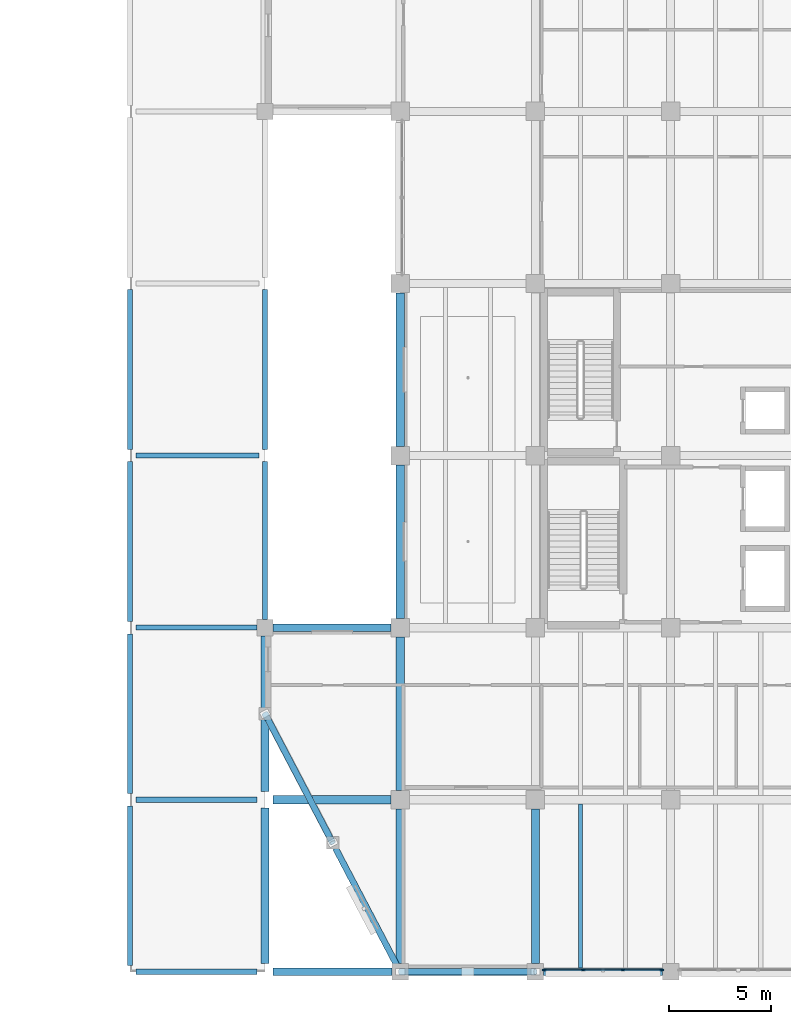
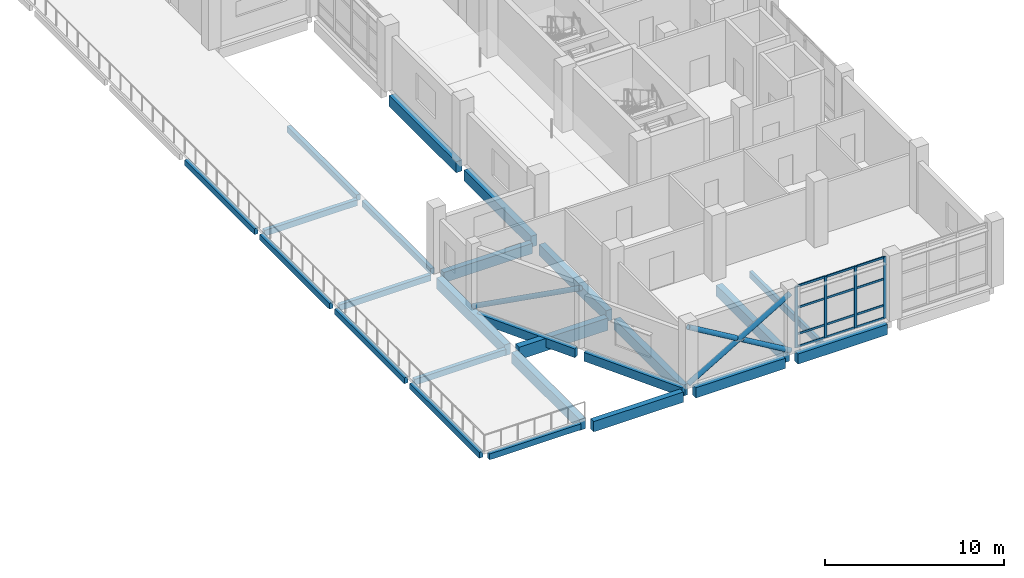
# One storey, part 20 of 83: 25 beams, 20 members, 1 element without a shape of its own.
"""IFC4 building model written with IfcOpenShell, lengths in metres."""

import ifcopenshell
import ifcopenshell.guid

model = None  # the IFC model being written
_history = None  # IfcOwnerHistory: only IFC2X3 demands one
_inside = {}  # id of a spatial element -> (the spatial element, [elements in it])
_under = {}  # id of a project, library or spatial element -> (it, [spatial elements below it])
_declared = {}  # id of a project -> (the project, [libraries it declares])
_typed = {}  # id of a type object -> (the type object, [elements of that type])
_made_of = {}  # id of a material, layer set ... -> (it, [elements and type objects made of it])


def new_model(schema):
    """Start an empty IFC model of exactly this schema.

    Asked for "IFC4X3", IfcOpenShell would pick the latest addendum, in which some entities
    have other attributes; the version numbers below select the first issue.
    IFC2X3 requires an IfcOwnerHistory on every rooted entity: one is made here for all.
    """
    global model, _history
    if schema == "IFC4X3":
        model = ifcopenshell.file(schema_version=(4, 3, 0, 0))
    else:
        model = ifcopenshell.file(schema=schema)
    _inside.clear()
    _under.clear()
    _declared.clear()
    _typed.clear()
    _made_of.clear()
    _history = None
    if model.schema == "IFC2X3":
        org = make("IfcOrganization", Name="unknown")
        user = make(
            "IfcPersonAndOrganization",
            ThePerson=make("IfcPerson", FamilyName="unknown"),
            TheOrganization=org,
        )
        app = make(
            "IfcApplication",
            ApplicationDeveloper=org,
            Version="unknown",
            ApplicationFullName="unknown",
            ApplicationIdentifier="unknown",
        )
        _history = make(
            "IfcOwnerHistory",
            OwningUser=user,
            OwningApplication=app,
            ChangeAction="ADDED",
            CreationDate=0,
        )
    return model


def make(cls, **values):
    """One entity of the class cls with the attributes given. An attribute that is None is left unset."""
    return model.create_entity(
        cls, **{name: value for name, value in values.items() if value is not None}
    )


def rooted(cls, **values):
    """An entity with a GlobalId (a new one), such as an element, a storey or a relation."""
    return make(cls, GlobalId=ifcopenshell.guid.new(), OwnerHistory=_history, **values)


def si_unit(unit_type, name, prefix=None):
    """IfcSIUnit, for example si_unit("LENGTHUNIT", "METRE", prefix="MILLI")."""
    return make("IfcSIUnit", UnitType=unit_type, Prefix=prefix, Name=name)


def assignment(units):
    """IfcUnitAssignment: the units of a project."""
    return None if units is None else make("IfcUnitAssignment", Units=units)


def point(xyz):
    """IfcCartesianPoint."""
    return None if xyz is None else make("IfcCartesianPoint", Coordinates=xyz)


def direction(xyz):
    """IfcDirection."""
    return None if xyz is None else make("IfcDirection", DirectionRatios=xyz)


def frame(location, z_axis=None, x_axis=None):
    """IfcAxis2Placement3D, a coordinate frame: its origin and axes. An axis left out is left unset."""
    return make(
        "IfcAxis2Placement3D",
        Location=point(location),
        Axis=direction(z_axis),
        RefDirection=direction(x_axis),
    )


def frame_2d(location, x_axis=None):
    """IfcAxis2Placement2D, a coordinate frame in the plane: its origin and x axis."""
    return make(
        "IfcAxis2Placement2D", Location=point(location), RefDirection=direction(x_axis)
    )


def origin():
    """The frame at (0, 0, 0) with its axes left unset."""
    return frame((0.0, 0.0, 0.0))


def origin_2d():
    """The frame at (0, 0) in the plane with its x axis left unset."""
    return frame_2d((0.0, 0.0))


def place(relative_to, where):
    """IfcLocalPlacement: puts the frame where relative to a parent placement (None: the world)."""
    return make(
        "IfcLocalPlacement", PlacementRelTo=relative_to, RelativePlacement=where
    )


def context(
    kind, dimensions, precision=None, world=None, true_north=None, identifier=None
):
    """IfcGeometricRepresentationContext, for example the 3D "Model" context."""
    return make(
        "IfcGeometricRepresentationContext",
        ContextIdentifier=identifier,
        ContextType=kind,
        CoordinateSpaceDimension=dimensions,
        Precision=precision,
        WorldCoordinateSystem=world,
        TrueNorth=true_north,
    )


def subcontext(parent, identifier, kind, view, scale=None):
    """IfcGeometricRepresentationSubContext, for example "Body" below "Model"."""
    return make(
        "IfcGeometricRepresentationSubContext",
        ContextIdentifier=identifier,
        ContextType=kind,
        ParentContext=parent,
        TargetScale=scale,
        TargetView=view,
    )


def project(units=None, contexts=None):
    """IfcProject with its units and contexts."""
    return rooted(
        "IfcProject",
        Name="project",
        RepresentationContexts=contexts,
        UnitsInContext=assignment(units),
    )


def spatial(cls, under=None, at=None, **own):
    """A site, building, storey or space (cls), placed at a placement, below another one or the project."""
    s = rooted(cls, ObjectPlacement=at, **own)
    if under is not None:
        _under.setdefault(under.id(), (under, []))[1].append(s)
    return s


def profile(cls, at=None, kind="AREA", **sizes):
    """A parametric profile (cls). Its sizes go by their IFC names, for example OverallWidth=200.0."""
    return make(cls, ProfileType=kind, Position=at, **sizes)


def rectangle(**sizes):
    """IfcRectangleProfileDef."""
    return profile("IfcRectangleProfileDef", **sizes)


def hollow_circle(**sizes):
    """IfcCircleHollowProfileDef."""
    return profile("IfcCircleHollowProfileDef", **sizes)


def extrude(swept, where, along, depth):
    """IfcExtrudedAreaSolid: the profile swept, set in the frame where, extruded along a direction by depth."""
    return make(
        "IfcExtrudedAreaSolid",
        SweptArea=swept,
        Position=where,
        ExtrudedDirection=direction(along),
        Depth=depth,
    )


def shape(context_of_items, identifier, shape_type, items):
    """IfcShapeRepresentation: the items that make up one representation, for example the "Body"."""
    return make(
        "IfcShapeRepresentation",
        ContextOfItems=context_of_items,
        RepresentationIdentifier=identifier,
        RepresentationType=shape_type,
        Items=items,
    )


def material(Name=None, Category=None):
    """IfcMaterial."""
    return make("IfcMaterial", Name=Name, Category=Category)


def material_profile(
    of_material, cross_section, Name=None, Category=None, Priority=None
):
    """IfcMaterialProfile: a cross section and its material."""
    return make(
        "IfcMaterialProfile",
        Name=Name,
        Material=of_material,
        Profile=cross_section,
        Priority=Priority,
        Category=Category,
    )


def profile_set(profiles, Name=None, composite=None):
    """IfcMaterialProfileSet."""
    return make(
        "IfcMaterialProfileSet",
        Name=Name,
        MaterialProfiles=profiles,
        CompositeProfile=composite,
    )


def made_of(thing, what):
    """Note that an element or type object is made of a material, layer set ...; save() writes the relation."""
    if what is not None:
        _made_of.setdefault(what.id(), (what, []))[1].append(thing)
    return thing


def type_object(cls, material=None, **own):
    """A type object (cls), such as IfcWallType, which elements share."""
    return made_of(rooted(cls, **own), material)


def element(
    cls,
    number,
    at=None,
    inside=None,
    cuts=None,
    type_object=None,
    material=None,
    context=None,
    identifier="Body",
    shape_type=None,
    held_by="IfcProductDefinitionShape",
    body=None,
    shapes=None,
    **own,
):
    """One element of the class cls, such as IfcWall. Its Tag is "e" and its number.

    at: its placement. inside: the storey or other place that contains it. cuts: it is an
    opening in that element (IfcRelVoidsElement). A single representation is given by context,
    identifier, shape_type and body (its items); several are given by shapes. held_by: the class
    of the entity that holds the representations. save() writes the other relations.
    """
    e = rooted(cls, Tag="e%d" % number, ObjectPlacement=at, **own)
    if body is not None:
        shapes = [shape(context, identifier, shape_type, body)]
    if shapes is not None:
        e.Representation = make(held_by, Representations=shapes)
    if inside is not None:
        _inside.setdefault(inside.id(), (inside, []))[1].append(e)
    if cuts is not None:
        rooted(
            "IfcRelVoidsElement", RelatingBuildingElement=cuts, RelatedOpeningElement=e
        )
    if type_object is not None:
        _typed.setdefault(type_object.id(), (type_object, []))[1].append(e)
    return made_of(e, material)


def aggregate(whole, parts):
    """IfcRelAggregates: a whole, such as a stair, and the parts it consists of."""
    return rooted("IfcRelAggregates", RelatingObject=whole, RelatedObjects=parts)


def save(model, path):
    """Write the relations noted so far, then the file.

    IfcRelAggregates (storeys below a building ...), IfcRelContainedInSpatialStructure (elements
    in a storey), IfcRelDefinesByType, IfcRelAssociatesMaterial and IfcRelDeclares: one each for
    every whole, place, type object, material and project.
    """
    for whole, parts in _under.values():
        aggregate(whole, parts)
    for where, things in _inside.values():
        rooted(
            "IfcRelContainedInSpatialStructure",
            RelatedElements=things,
            RelatingStructure=where,
        )
    for kind, things in _typed.values():
        rooted("IfcRelDefinesByType", RelatedObjects=things, RelatingType=kind)
    for what, things in _made_of.values():
        rooted("IfcRelAssociatesMaterial", RelatedObjects=things, RelatingMaterial=what)
    for by, libraries in _declared.values():
        rooted("IfcRelDeclares", RelatingContext=by, RelatedDefinitions=libraries)
    model.write(path)


model = new_model("IFC4")

# Units and contexts
model_context = context("Model", 3, precision=1e-05, world=origin(), true_north=direction((0.0, 1.0)))
body_context = subcontext(model_context, "Body", "Model", "MODEL_VIEW")
ifc_project = project(units=[si_unit("LENGTHUNIT", "METRE"), si_unit("AREAUNIT", "SQUARE_METRE"), si_unit("VOLUMEUNIT", "CUBIC_METRE"), si_unit("PLANEANGLEUNIT", "RADIAN"), si_unit("MASSUNIT", "GRAM", prefix="KILO")], contexts=[model_context])

# Site, building, storey
site_placement = place(None, origin())
site = spatial("IfcSite", under=ifc_project, at=site_placement, CompositionType="ELEMENT")
building_placement = place(site_placement, origin())
building = spatial("IfcBuilding", under=site, at=building_placement, Name="Qaldarim Faculty of Natural and Applied Sciences", CompositionType="ELEMENT")
storey_placement = place(building_placement, frame((0.0, 0.0, 5.39990234375)))
storey = spatial("IfcBuildingStorey", under=building, at=storey_placement, Name="L01", CompositionType="ELEMENT", Elevation=5.39990234375)

# Beams
ifc_material_1 = material(Name="Concrete C40/50", Category="concrete")
ifc_material_profile_1 = material_profile(ifc_material_1, rectangle(XDim=0.25, YDim=0.39990234375, at=origin_2d()), Name="RC-LN250x400")
ifc_profile_set_1 = profile_set([ifc_material_profile_1], Name="Concrete C40/50")
beam_type_1 = type_object("IfcBeamType", Name="ArcadeLintel-RC250x400", PredefinedType="LINTEL", material=ifc_profile_set_1)
for number, where, z_axis, x_axis, name in (
    (1, (145.5, 0.0, -0.39990234375), (1.0, 0.0, 0.0), (0.0, 1.0, 0.0), "Beam RC-LN250x400 L00 X23-X24/Y01"),
    (2, (145.5, 8.39990234375, -0.39990234375), (1.0, 0.0, 0.0), (0.0, 1.0, 0.0), "Beam RC-LN250x400 L00 X23-X24/Y02"),
    (3, (145.5, 16.800048828125, -0.39990234375), (1.0, 0.0, 0.0), (0.0, 1.0, 0.0), "Beam RC-LN250x400 L00 X23-X24/Y03"),
):
    element("IfcBeam", number, at=place(storey_placement, frame(where, z_axis=z_axis, x_axis=x_axis)), inside=storey, type_object=beam_type_1, Name=name, PredefinedType="LINTEL", context=body_context, shape_type="SweptSolid", body=[
        extrude(rectangle(XDim=0.25, YDim=0.39990234375, at=origin_2d()), origin(), (0.0, 0.0, 1.0), 5.89990234375),
    ])
beam_1_placement = place(storey_placement, frame((145.5, 25.199951171875, -0.39990234375), z_axis=(1.0, 0.0, 0.0), x_axis=(0.0, 1.0, 0.0)))
element("IfcBeam", 4, at=beam_1_placement, inside=storey, type_object=beam_type_1, Name="Beam RC-LN250x400 L00 X23-X24/Y04", PredefinedType="LINTEL", context=body_context, shape_type="SweptSolid", body=[
    extrude(rectangle(XDim=0.25, YDim=0.39990234375, at=origin_2d()), origin(), (0.0, 0.0, 1.0), 6.0),
])
for number, where, z_axis, x_axis, name in (
    (5, (145.199951171875, 0.300048828125, -0.39990234375), (0.0, 1.0, 0.0), (-1.0, 0.0, 0.0), "Beam RC-LN250x400 L00 X23/Y01-Y02"),
    (6, (145.199951171875, 8.699951171875, -0.39990234375), (0.0, 1.0, 0.0), (-1.0, 0.0, 0.0), "Beam RC-LN250x400 L00 X23/Y02-Y03"),
):
    element("IfcBeam", number, at=place(storey_placement, frame(where, z_axis=z_axis, x_axis=x_axis)), inside=storey, type_object=beam_type_1, Name=name, PredefinedType="LINTEL", context=body_context, shape_type="SweptSolid", body=[
        extrude(rectangle(XDim=0.25, YDim=0.39990234375, at=origin_2d()), origin(), (0.0, 0.0, 1.0), 7.800048828125),
    ])
beam_2_placement = place(storey_placement, frame((145.199951171875, 17.10009765625, -0.39990234375), z_axis=(0.0, 1.0, 0.0), x_axis=(-1.0, 0.0, 0.0)))
element("IfcBeam", 7, at=beam_2_placement, inside=storey, type_object=beam_type_1, Name="Beam RC-LN250x400 L00 X23/Y03-Y04", PredefinedType="LINTEL", context=body_context, shape_type="SweptSolid", body=[
    extrude(rectangle(XDim=0.25, YDim=0.39990234375, at=origin_2d()), origin(), (0.0, 0.0, 1.0), 7.7998046875),
])
beam_3_placement = place(storey_placement, frame((145.199951171875, 25.5, -0.39990234375), z_axis=(0.0, 1.0, 0.0), x_axis=(-1.0, 0.0, 0.0)))
element("IfcBeam", 8, at=beam_3_placement, inside=storey, type_object=beam_type_1, Name="Beam RC-LN250x400 L00 X23/Y04-Y05", PredefinedType="LINTEL", context=body_context, shape_type="SweptSolid", body=[
    extrude(rectangle(XDim=0.25, YDim=0.39990234375, at=origin_2d()), origin(), (0.0, 0.0, 1.0), 7.800048828125),
])
beam_4_placement = place(storey_placement, frame((151.800048828125, 17.199951171875, -0.39990234375), z_axis=(0.0, 1.0, 0.0), x_axis=(-1.0, 0.0, 0.0)))
element("IfcBeam", 9, at=beam_4_placement, inside=storey, type_object=beam_type_1, Name="Beam RC-LN250x400 L00 X24/Y03-Y04", PredefinedType="LINTEL", context=body_context, shape_type="SweptSolid", body=[
    extrude(rectangle(XDim=0.25, YDim=0.39990234375, at=origin_2d()), origin(), (0.0, 0.0, 1.0), 7.699951171875),
])
beam_5_placement = place(storey_placement, frame((151.800048828125, 25.5, -0.39990234375), z_axis=(0.0, 1.0, 0.0), x_axis=(-1.0, 0.0, 0.0)))
element("IfcBeam", 10, at=beam_5_placement, inside=storey, type_object=beam_type_1, Name="Beam RC-LN250x400 L00 X24/Y04-Y05", PredefinedType="LINTEL", context=body_context, shape_type="SweptSolid", body=[
    extrude(rectangle(XDim=0.25, YDim=0.39990234375, at=origin_2d()), origin(), (0.0, 0.0, 1.0), 7.800048828125),
])
ifc_material_2 = material(Name="Concrete C50/60", Category="concrete")
ifc_material_profile_2 = material_profile(ifc_material_2, rectangle(XDim=0.39990234375, YDim=0.75, at=origin_2d()), Name="RC-B400x750")
ifc_profile_set_2 = profile_set([ifc_material_profile_2], Name="Concrete C50/60")
beam_type_2 = type_object("IfcBeamType", Name="LabGirder-RC400x750", PredefinedType="BEAM", material=ifc_profile_set_2)
beam_6_placement = place(storey_placement, frame((151.800048828125, 0.39990234375, -0.6748046875), z_axis=(0.0, 1.0, 0.0), x_axis=(-1.0, 0.0, 0.0)))
element("IfcBeam", 11, at=beam_6_placement, inside=storey, type_object=beam_type_2, Name="Beam RC-B400x750 L00 X24/Y01-Y02", PredefinedType="BEAM", context=body_context, shape_type="SweptSolid", body=[
    extrude(rectangle(XDim=0.39990234375, YDim=0.75, at=origin_2d()), origin(), (0.0, 0.0, 1.0), 7.60009765625),
])
beam_7_placement = place(storey_placement, frame((151.800048828125, 8.800048828125, -0.6748046875), z_axis=(0.0, 1.0, 0.0), x_axis=(-1.0, 0.0, 0.0)))
element("IfcBeam", 12, at=beam_7_placement, inside=storey, type_object=beam_type_2, Name="Beam RC-B400x750 L00 X24/Y02-Y03", PredefinedType="BEAM", context=body_context, shape_type="SweptSolid", body=[
    extrude(rectangle(XDim=0.39990234375, YDim=0.75, at=origin_2d()), origin(), (0.0, 0.0, 1.0), 7.599853515625),
])
beam_8_placement = place(storey_placement, frame((158.39990234375, 0.39990234375, -0.6748046875), z_axis=(0.0, 1.0, 0.0), x_axis=(-1.0, 0.0, 0.0)))
element("IfcBeam", 13, at=beam_8_placement, inside=storey, type_object=beam_type_2, Name="Beam RC-B400x750 L00 X25/Y01-Y02", PredefinedType="BEAM", context=body_context, shape_type="SweptSolid", body=[
    extrude(rectangle(XDim=0.39990234375, YDim=0.75, at=origin_2d()), origin(), (0.0, 0.0, 1.0), 7.550048828125),
])
for number, where, z_axis, x_axis, name in (
    (14, (158.39990234375, 8.85009765625, -0.6748046875), (0.0, 1.0, 0.0), (-1.0, 0.0, 0.0), "Beam RC-B400x750 L00 X25/Y02-Y03"),
    (15, (158.39990234375, 17.25, -0.6748046875), (0.0, 1.0, 0.0), (-1.0, 0.0, 0.0), "Beam RC-B400x750 L00 X25/Y03-Y04"),
    (16, (158.39990234375, 25.64990234375, -0.6748046875), (0.0, 1.0, 0.0), (-1.0, 0.0, 0.0), "Beam RC-B400x750 L00 X25/Y04-Y05"),
):
    element("IfcBeam", number, at=place(storey_placement, frame(where, z_axis=z_axis, x_axis=x_axis)), inside=storey, type_object=beam_type_2, Name=name, PredefinedType="BEAM", context=body_context, shape_type="SweptSolid", body=[
        extrude(rectangle(XDim=0.39990234375, YDim=0.75, at=origin_2d()), origin(), (0.0, 0.0, 1.0), 7.5),
    ])
beam_9_placement = place(storey_placement, frame((165.0, 0.39990234375, -0.6748046875), z_axis=(0.0, 1.0, 0.0), x_axis=(-1.0, 0.0, 0.0)))
element("IfcBeam", 17, at=beam_9_placement, inside=storey, type_object=beam_type_2, Name="Beam RC-B400x750 L00 X26/Y01-Y02", PredefinedType="BEAM", context=body_context, shape_type="SweptSolid", body=[
    extrude(rectangle(XDim=0.39990234375, YDim=0.75, at=origin_2d()), origin(), (0.0, 0.0, 1.0), 7.550048828125),
])
ifc_material_profile_3 = material_profile(ifc_material_1, rectangle(XDim=0.199951171875, YDim=0.449951171875, at=origin_2d()), Name="RC-J200x450")
ifc_profile_set_3 = profile_set([ifc_material_profile_3], Name="Concrete C40/50")
beam_type_3 = type_object("IfcBeamType", Name="LabJoist-RC200x450", PredefinedType="JOIST", material=ifc_profile_set_3)
beam_10_placement = place(storey_placement, frame((167.199951171875, 0.175048828125, -0.52490234375), z_axis=(0.0, 1.0, 0.0), x_axis=(-1.0, 0.0, 0.0)))
element("IfcBeam", 18, at=beam_10_placement, inside=storey, type_object=beam_type_3, Name="Laboratory joist L00 bay X26Y01-1", PredefinedType="JOIST", context=body_context, shape_type="SweptSolid", body=[
    extrude(rectangle(XDim=0.199951171875, YDim=0.449951171875, at=origin_2d()), origin(), (0.0, 0.0, 1.0), 8.02490234375),
])

# Members
ifc_material_3 = material(Name="Structural steel S355", Category="steel")
ifc_material_profile_4 = material_profile(ifc_material_3, hollow_circle(Radius=0.161865234375, WallThickness=0.02001953125, at=origin_2d()), Name="CHS 323.9x20.0")
ifc_profile_set_4 = profile_set([ifc_material_profile_4], Name="Structural steel S355")
member_type_1 = type_object("IfcMemberType", Name="LowerWingBrace-CHS323-9x20", PredefinedType="BRACE", material=ifc_profile_set_4)
member_1_placement = place(storey_placement, frame((158.39990234375, 0.0, 0.0), z_axis=(0.86092145624, 0.0, 0.50873789537), x_axis=(0.0, 1.0, 0.0)))
element("IfcMember", 19, at=member_1_placement, inside=storey, type_object=member_type_1, Name="South diagrid L01 primary brace L", PredefinedType="BRACE", context=body_context, shape_type="SweptSolid", body=[
    extrude(hollow_circle(Radius=0.161865234375, WallThickness=0.02001953125, at=origin_2d()), origin(), (0.0, 0.0, 1.0), 7.666259765625),
])
for number, where, z_axis, x_axis, name in (
    (20, (165.0, 0.0, 0.0), (-0.860647985502, 0.0, 0.509200397733), (0.0, -1.0, 0.0), "South diagrid L01 split secondary lower brace R1"),
    (21, (161.510009765625, 0.0, 2.06005859375), (-0.860647985502, 0.0, 0.509200397733), (0.0, -1.0, 0.0), "South diagrid L01 split secondary upper brace R2"),
):
    element("IfcMember", number, at=place(storey_placement, frame(where, z_axis=z_axis, x_axis=x_axis)), inside=storey, type_object=member_type_1, Name=name, PredefinedType="BRACE", context=body_context, shape_type="SweptSolid", body=[
        extrude(hollow_circle(Radius=0.161865234375, WallThickness=0.02001953125, at=origin_2d()), origin(), (0.0, 0.0, 1.0), 3.61376953125),
    ])
member_2_placement = place(storey_placement, frame((151.800048828125, 12.60009765625, 0.0), z_axis=(0.406849285018, -0.776706798838, 0.480832827415), x_axis=(0.885830191482, 0.464009560095, 0.0)))
element("IfcMember", 22, at=member_2_placement, inside=storey, type_object=member_type_1, Name="Oblique SW chamfer exoskeleton brace L01 1", PredefinedType="BRACE", context=body_context, shape_type="SweptSolid", body=[
    extrude(hollow_circle(Radius=0.161865234375, WallThickness=0.02001953125, at=origin_2d()), origin(), (0.0, 0.0, 1.0), 8.111328125),
])

# Curtain wall, members
ifc_material_4 = material(Name="Anodised aluminium AW-6063", Category="aluminium")
curtain_wall_type = type_object("IfcCurtainWallType", Name="CurtainWallSystem-M1700", PredefinedType="USERDEFINED", material=ifc_material_4)
curtain_wall_placement = place(storey_placement, origin())
curtain_wall = element("IfcCurtainWall", 23, at=curtain_wall_placement, inside=storey, type_object=curtain_wall_type, Name="Curtain wall CW-L01-S-X26Y01", ObjectType="UNITISED FACADE", PredefinedType="USERDEFINED")
ifc_material_profile_5 = material_profile(ifc_material_4, rectangle(XDim=0.070068359375, YDim=0.179931640625, at=origin_2d()), Name="ALU-M70x180")
ifc_profile_set_5 = profile_set([ifc_material_profile_5], Name="Anodised aluminium AW-6063")
member_type_2 = type_object("IfcMemberType", Name="Mullion-ALU70x180", PredefinedType="MULLION", material=ifc_profile_set_5)
member_3_placement = place(storey_placement, frame((165.429931640625, 0.080078125, 0.0), z_axis=(0.0, 0.0, 1.0), x_axis=(0.0, 1.0, 0.0)))
member_3 = element("IfcMember", 24, at=member_3_placement, type_object=member_type_2, Name="Mullion 1 of CW-L01-S-X26Y01", PredefinedType="MULLION", context=body_context, shape_type="SweptSolid", body=[
    extrude(rectangle(XDim=0.070068359375, YDim=0.179931640625, at=origin_2d()), origin(), (0.0, 0.0, 1.0), 4.2001953125),
])
member_4_placement = place(storey_placement, frame((167.331787109375, 0.080078125, 0.0), z_axis=(0.0, 0.0, 1.0), x_axis=(0.0, 1.0, 0.0)))
member_4 = element("IfcMember", 25, at=member_4_placement, type_object=member_type_2, Name="Mullion 2 of CW-L01-S-X26Y01", PredefinedType="MULLION", context=body_context, shape_type="SweptSolid", body=[
    extrude(rectangle(XDim=0.070068359375, YDim=0.179931640625, at=origin_2d()), origin(), (0.0, 0.0, 1.0), 4.2001953125),
])
member_5_placement = place(storey_placement, frame((169.268310546875, 0.080078125, 0.0), z_axis=(0.0, 0.0, 1.0), x_axis=(0.0, 1.0, 0.0)))
member_5 = element("IfcMember", 26, at=member_5_placement, type_object=member_type_2, Name="Mullion 3 of CW-L01-S-X26Y01", PredefinedType="MULLION", context=body_context, shape_type="SweptSolid", body=[
    extrude(rectangle(XDim=0.070068359375, YDim=0.179931640625, at=origin_2d()), origin(), (0.0, 0.0, 1.0), 4.2001953125),
])
member_6_placement = place(storey_placement, frame((171.169921875, 0.080078125, 0.0), z_axis=(0.0, 0.0, 1.0), x_axis=(0.0, 1.0, 0.0)))
member_6 = element("IfcMember", 27, at=member_6_placement, type_object=member_type_2, Name="Mullion 4 of CW-L01-S-X26Y01", PredefinedType="MULLION", context=body_context, shape_type="SweptSolid", body=[
    extrude(rectangle(XDim=0.070068359375, YDim=0.179931640625, at=origin_2d()), origin(), (0.0, 0.0, 1.0), 4.2001953125),
])

# Beams
ifc_material_profile_6 = material_profile(ifc_material_2, rectangle(XDim=0.39990234375, YDim=0.85009765625, at=origin_2d()), Name="RC-B400x850")
ifc_profile_set_6 = profile_set([ifc_material_profile_6], Name="Concrete C50/60")
beam_type_4 = type_object("IfcBeamType", Name="PodiumGirder-RC400x850", PredefinedType="BEAM", material=ifc_profile_set_6)
beam_11_placement = place(storey_placement, frame((152.199951171875, 8.39990234375, -0.724853515625), z_axis=(1.0, 0.0, 0.0), x_axis=(0.0, 1.0, 0.0)))
element("IfcBeam", 28, at=beam_11_placement, inside=storey, type_object=beam_type_4, Name="Beam RC-B400x850 L00 X24-X25/Y02", PredefinedType="BEAM", context=body_context, shape_type="SweptSolid", body=[
    extrude(rectangle(XDim=0.39990234375, YDim=0.85009765625, at=origin_2d()), origin(), (0.0, 0.0, 1.0), 5.75),
])
ifc_material_profile_7 = material_profile(ifc_material_1, rectangle(XDim=0.35009765625, YDim=0.699951171875, at=origin_2d()), Name="RC-B350x700")
ifc_profile_set_7 = profile_set([ifc_material_profile_7], Name="Concrete C40/50")
beam_type_5 = type_object("IfcBeamType", Name="PrimaryGirder-RC350x700", PredefinedType="BEAM", material=ifc_profile_set_7)
for number, where, z_axis, x_axis, name in (
    (29, (152.199951171875, 0.0, -0.64990234375), (1.0, 0.0, 0.0), (0.0, 1.0, 0.0), "Beam RC-B350x700 L00 X24-X25/Y01"),
    (30, (158.800048828125, 0.0, -0.64990234375), (1.0, 0.0, 0.0), (0.0, 1.0, 0.0), "Beam RC-B350x700 L00 X25-X26/Y01"),
    (31, (165.39990234375, 0.0, -0.64990234375), (1.0, 0.0, 0.0), (0.0, 1.0, 0.0), "Beam RC-B350x700 L00 X26-X27/Y01"),
):
    element("IfcBeam", number, at=place(storey_placement, frame(where, z_axis=z_axis, x_axis=x_axis)), inside=storey, type_object=beam_type_5, Name=name, PredefinedType="BEAM", context=body_context, shape_type="SweptSolid", body=[
        extrude(rectangle(XDim=0.35009765625, YDim=0.699951171875, at=origin_2d()), origin(), (0.0, 0.0, 1.0), 5.800048828125),
    ])
beam_12_placement = place(storey_placement, frame((152.199951171875, 16.800048828125, -0.64990234375), z_axis=(1.0, 0.0, 0.0), x_axis=(0.0, 1.0, 0.0)))
element("IfcBeam", 32, at=beam_12_placement, inside=storey, type_object=beam_type_5, Name="Beam RC-B350x700 L00 X24-X25/Y03", PredefinedType="BEAM", context=body_context, shape_type="SweptSolid", body=[
    extrude(rectangle(XDim=0.35009765625, YDim=0.699951171875, at=origin_2d()), origin(), (0.0, 0.0, 1.0), 5.75),
])
ifc_material_5 = material(Name="Precast concrete C40/50", Category="concrete")
ifc_material_profile_8 = material_profile(ifc_material_5, rectangle(XDim=0.300048828125, YDim=0.60009765625, at=origin_2d()), Name="RC-SP300x600")
ifc_profile_set_8 = profile_set([ifc_material_profile_8], Name="Precast concrete C40/50")
beam_type_6 = type_object("IfcBeamType", Name="SpandrelBeam-RC300x600", PredefinedType="SPANDREL", material=ifc_profile_set_8)
for number, where, z_axis, x_axis, name in (
    (33, (151.93994140625, 12.330078125, -0.599853515625), (0.464353423794, -0.885649986061, 0.0), (0.885649986061, 0.464353423794, 0.0), "Oblique SW chamfer spandrel L00 2"),
    (34, (155.239990234375, 6.030029296875, -0.599853515625), (0.464353423794, -0.885649986061, 0.0), (0.885649986061, 0.464353423794, 0.0), "Oblique SW chamfer spandrel L00 3"),
):
    element("IfcBeam", number, at=place(storey_placement, frame(where, z_axis=z_axis, x_axis=x_axis)), inside=storey, type_object=beam_type_6, Name=name, PredefinedType="SPANDREL", context=body_context, shape_type="SweptSolid", body=[
        extrude(rectangle(XDim=0.300048828125, YDim=0.60009765625, at=origin_2d()), origin(), (0.0, 0.0, 1.0), 6.503662109375),
    ])

# Member
ifc_material_profile_9 = material_profile(ifc_material_4, rectangle(XDim=0.070068359375, YDim=0.139892578125, at=origin_2d()), Name="ALU-T70x140")
ifc_profile_set_9 = profile_set([ifc_material_profile_9], Name="Anodised aluminium AW-6063")
member_type_3 = type_object("IfcMemberType", Name="Transom-ALU70x140", PredefinedType="USERDEFINED", material=ifc_profile_set_9)
member_7_placement = place(storey_placement, frame((165.465087890625, 0.080078125, 0.03515625), z_axis=(1.0, 0.0, 0.0), x_axis=(0.0, 1.0, 0.0)))
member_7 = element("IfcMember", 35, at=member_7_placement, type_object=member_type_3, Name="Transom 1-1 of CW-L01-S-X26Y01", ObjectType="TRANSOM", PredefinedType="USERDEFINED", context=body_context, shape_type="SweptSolid", body=[
    extrude(rectangle(XDim=0.070068359375, YDim=0.139892578125, at=origin_2d()), origin(), (0.0, 0.0, 1.0), 1.83154296875),
])

member_8_placement = place(storey_placement, frame((165.465087890625, 0.080078125, 0.900146484375), z_axis=(1.0, 0.0, 0.0), x_axis=(0.0, 1.0, 0.0)))
member_8 = element("IfcMember", 36, at=member_8_placement, type_object=member_type_3, Name="Transom 1-2 of CW-L01-S-X26Y01", ObjectType="TRANSOM", PredefinedType="USERDEFINED", context=body_context, shape_type="SweptSolid", body=[
    extrude(rectangle(XDim=0.070068359375, YDim=0.139892578125, at=origin_2d()), origin(), (0.0, 0.0, 1.0), 1.83154296875),
])

member_9_placement = place(storey_placement, frame((165.465087890625, 0.080078125, 2.7001953125), z_axis=(1.0, 0.0, 0.0), x_axis=(0.0, 1.0, 0.0)))
member_9 = element("IfcMember", 37, at=member_9_placement, type_object=member_type_3, Name="Transom 1-3 of CW-L01-S-X26Y01", ObjectType="TRANSOM", PredefinedType="USERDEFINED", context=body_context, shape_type="SweptSolid", body=[
    extrude(rectangle(XDim=0.070068359375, YDim=0.139892578125, at=origin_2d()), origin(), (0.0, 0.0, 1.0), 1.83154296875),
])

member_10_placement = place(storey_placement, frame((165.465087890625, 0.080078125, 4.1650390625), z_axis=(1.0, 0.0, 0.0), x_axis=(0.0, 1.0, 0.0)))
member_10 = element("IfcMember", 38, at=member_10_placement, type_object=member_type_3, Name="Transom 1-4 of CW-L01-S-X26Y01", ObjectType="TRANSOM", PredefinedType="USERDEFINED", context=body_context, shape_type="SweptSolid", body=[
    extrude(rectangle(XDim=0.070068359375, YDim=0.139892578125, at=origin_2d()), origin(), (0.0, 0.0, 1.0), 1.83154296875),
])

member_11_placement = place(storey_placement, frame((167.36669921875, 0.080078125, 0.03515625), z_axis=(1.0, 0.0, 0.0), x_axis=(0.0, 1.0, 0.0)))
member_11 = element("IfcMember", 39, at=member_11_placement, type_object=member_type_3, Name="Transom 2-1 of CW-L01-S-X26Y01", ObjectType="TRANSOM", PredefinedType="USERDEFINED", context=body_context, shape_type="SweptSolid", body=[
    extrude(rectangle(XDim=0.070068359375, YDim=0.139892578125, at=origin_2d()), origin(), (0.0, 0.0, 1.0), 1.86669921875),
])

member_12_placement = place(storey_placement, frame((167.36669921875, 0.080078125, 0.900146484375), z_axis=(1.0, 0.0, 0.0), x_axis=(0.0, 1.0, 0.0)))
member_12 = element("IfcMember", 40, at=member_12_placement, type_object=member_type_3, Name="Transom 2-2 of CW-L01-S-X26Y01", ObjectType="TRANSOM", PredefinedType="USERDEFINED", context=body_context, shape_type="SweptSolid", body=[
    extrude(rectangle(XDim=0.070068359375, YDim=0.139892578125, at=origin_2d()), origin(), (0.0, 0.0, 1.0), 1.86669921875),
])

member_13_placement = place(storey_placement, frame((167.36669921875, 0.080078125, 2.7001953125), z_axis=(1.0, 0.0, 0.0), x_axis=(0.0, 1.0, 0.0)))
member_13 = element("IfcMember", 41, at=member_13_placement, type_object=member_type_3, Name="Transom 2-3 of CW-L01-S-X26Y01", ObjectType="TRANSOM", PredefinedType="USERDEFINED", context=body_context, shape_type="SweptSolid", body=[
    extrude(rectangle(XDim=0.070068359375, YDim=0.139892578125, at=origin_2d()), origin(), (0.0, 0.0, 1.0), 1.86669921875),
])

member_14_placement = place(storey_placement, frame((167.36669921875, 0.080078125, 4.1650390625), z_axis=(1.0, 0.0, 0.0), x_axis=(0.0, 1.0, 0.0)))
member_14 = element("IfcMember", 42, at=member_14_placement, type_object=member_type_3, Name="Transom 2-4 of CW-L01-S-X26Y01", ObjectType="TRANSOM", PredefinedType="USERDEFINED", context=body_context, shape_type="SweptSolid", body=[
    extrude(rectangle(XDim=0.070068359375, YDim=0.139892578125, at=origin_2d()), origin(), (0.0, 0.0, 1.0), 1.86669921875),
])

member_15_placement = place(storey_placement, frame((169.30322265625, 0.080078125, 0.03515625), z_axis=(1.0, 0.0, 0.0), x_axis=(0.0, 1.0, 0.0)))
member_15 = element("IfcMember", 43, at=member_15_placement, type_object=member_type_3, Name="Transom 3-1 of CW-L01-S-X26Y01", ObjectType="TRANSOM", PredefinedType="USERDEFINED", context=body_context, shape_type="SweptSolid", body=[
    extrude(rectangle(XDim=0.070068359375, YDim=0.139892578125, at=origin_2d()), origin(), (0.0, 0.0, 1.0), 1.831787109375),
])

member_16_placement = place(storey_placement, frame((169.30322265625, 0.080078125, 0.900146484375), z_axis=(1.0, 0.0, 0.0), x_axis=(0.0, 1.0, 0.0)))
member_16 = element("IfcMember", 44, at=member_16_placement, type_object=member_type_3, Name="Transom 3-2 of CW-L01-S-X26Y01", ObjectType="TRANSOM", PredefinedType="USERDEFINED", context=body_context, shape_type="SweptSolid", body=[
    extrude(rectangle(XDim=0.070068359375, YDim=0.139892578125, at=origin_2d()), origin(), (0.0, 0.0, 1.0), 1.831787109375),
])

member_17_placement = place(storey_placement, frame((169.30322265625, 0.080078125, 2.7001953125), z_axis=(1.0, 0.0, 0.0), x_axis=(0.0, 1.0, 0.0)))
member_17 = element("IfcMember", 45, at=member_17_placement, type_object=member_type_3, Name="Transom 3-3 of CW-L01-S-X26Y01", ObjectType="TRANSOM", PredefinedType="USERDEFINED", context=body_context, shape_type="SweptSolid", body=[
    extrude(rectangle(XDim=0.070068359375, YDim=0.139892578125, at=origin_2d()), origin(), (0.0, 0.0, 1.0), 1.831787109375),
])

member_18_placement = place(storey_placement, frame((169.30322265625, 0.080078125, 4.1650390625), z_axis=(1.0, 0.0, 0.0), x_axis=(0.0, 1.0, 0.0)))
member_18 = element("IfcMember", 46, at=member_18_placement, type_object=member_type_3, Name="Transom 3-4 of CW-L01-S-X26Y01", ObjectType="TRANSOM", PredefinedType="USERDEFINED", context=body_context, shape_type="SweptSolid", body=[
    extrude(rectangle(XDim=0.070068359375, YDim=0.139892578125, at=origin_2d()), origin(), (0.0, 0.0, 1.0), 1.831787109375),
])

aggregate(curtain_wall, [member_3, member_4, member_5, member_6, member_7, member_8, member_9, member_10, member_11, member_12, member_13, member_14, member_15, member_16, member_17, member_18])

save(model, "model.ifc")
